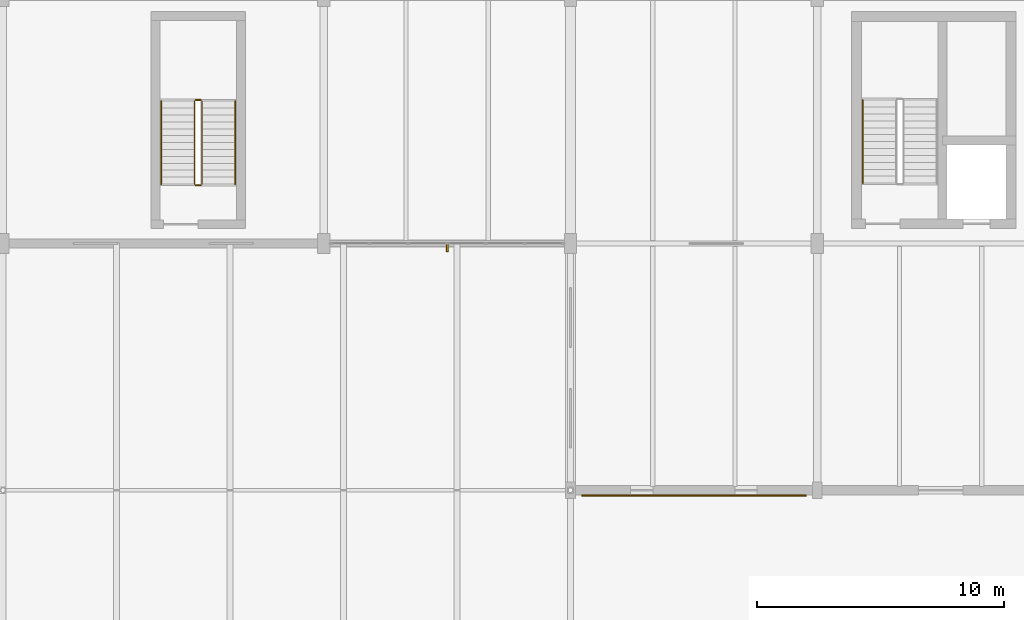
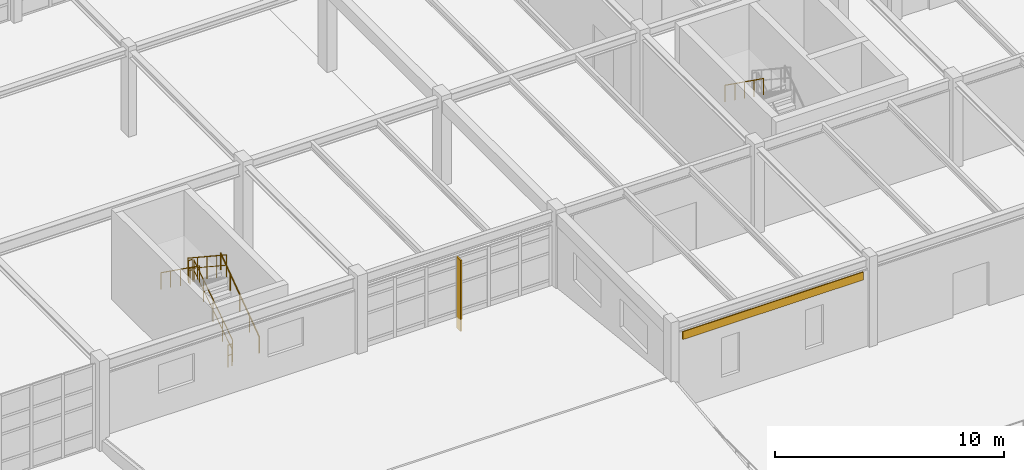
# One storey, part 135 of 139: 7 railings, 1 covering, 1 shading device.
"""IFC4 building model written with IfcOpenShell, lengths in metres."""

from ifc_helpers import new_model, si_unit, direction, frame, origin, origin_2d, place, context, subcontext, project, spatial, polyline, rectangle, circle, outline, extrude, material, layer, layer_set, type_object, element, save


model = new_model("IFC4")

# Units and contexts
model_context = context("Model", 3, precision=1e-05, world=origin(), true_north=direction((0.0, 1.0)))
body_context = subcontext(model_context, "Body", "Model", "MODEL_VIEW")
ifc_project = project(units=[si_unit("LENGTHUNIT", "METRE"), si_unit("AREAUNIT", "SQUARE_METRE"), si_unit("VOLUMEUNIT", "CUBIC_METRE"), si_unit("PLANEANGLEUNIT", "RADIAN"), si_unit("MASSUNIT", "GRAM", prefix="KILO"), si_unit("THERMODYNAMICTEMPERATUREUNIT", "KELVIN"), si_unit("POWERUNIT", "WATT")], contexts=[model_context])

# Site, building, storey
site_placement = place(None, origin())
site = spatial("IfcSite", under=ifc_project, at=site_placement, CompositionType="ELEMENT")
building_placement = place(site_placement, origin())
building = spatial("IfcBuilding", under=site, at=building_placement, Name="Korenveer Ferry Terminal", CompositionType="ELEMENT")
storey_placement = place(building_placement, frame((0.0, 0.0, 5.39990234375)))
storey = spatial("IfcBuildingStorey", under=building, at=storey_placement, Name="L01", CompositionType="ELEMENT", Elevation=5.39990234375)

# Covering
ifc_material_1 = material(Name="Carved Belgian bluestone spandrel cladding", Category="masonry")
ifc_layer = layer(ifc_material_1, 0.050048828125)
ifc_layer_set = layer_set([ifc_layer], Name="Carved Belgian bluestone spandrel cladding")
covering_type = type_object("IfcCoveringType", Name="ENV-COV-STONE", PredefinedType="CLADDING", material=ifc_layer_set)
covering_placement = place(storey_placement, frame((0.0, 0.0, 3.630126953125)))
element("IfcCovering", 1, at=covering_placement, inside=storey, type_object=covering_type, Name="Belgian bluestone spandrel band 13", PredefinedType="CLADDING", context=body_context, shape_type="SweptSolid", body=[
    extrude(outline(polyline([(146.449951171875, 9.764892578125), (155.550048828125, 9.764892578125), (155.550048828125, 9.81494140625), (146.449951171875, 9.81494140625), (146.449951171875, 9.764892578125)])), origin(), (0.0, 0.0, 1.0), 0.419921875),
])

# Shading device
ifc_material_2 = material(Name="Anodised bronze aluminium solar fin", Category="aluminium")
shading_device_type = type_object("IfcShadingDeviceType", Name="ENV-SHD-FIN", PredefinedType="JALOUSIE", material=ifc_material_2)
shading_device_placement = place(storey_placement, frame((141.0, 19.840087890625, -0.02001953125), z_axis=(0.0, 0.0, 1.0), x_axis=(0.0, 1.0, 0.0)))
element("IfcShadingDevice", 2, at=shading_device_placement, inside=storey, type_object=shading_device_type, Name="Gothic solar fin 19", PredefinedType="JALOUSIE", context=body_context, shape_type="SweptSolid", body=[
    extrude(rectangle(XDim=0.360107421875, YDim=0.080078125, at=origin_2d()), origin(), (0.0, 0.0, 1.0), 3.7900390625),
])

# Railings
ifc_material_3 = material(Name="Brushed stainless steel handrail", Category="steel")
railing_type_1 = type_object("IfcRailingType", Name="INT-RL-HND90", PredefinedType="HANDRAIL", material=ifc_material_3)
railing_1_placement = place(storey_placement, frame((157.85009765625, 25.81005859375, 2.584716796875)))
element("IfcRailing", 3, at=railing_1_placement, inside=storey, type_object=railing_type_1, Name="L01 ST03 stair handrail 2", PredefinedType="HANDRAIL", context=body_context, shape_type="SweptSolid", body=[
    extrude(circle(Radius=0.02392578125, at=origin_2d()), frame((0.0, 0.0, 0.8759765625), z_axis=(0.0, -0.813753445783, 0.581210228297), x_axis=(1.0, 0.0, 0.0)), (0.0, 0.0, 1.0), 4.129150390625),
    extrude(circle(Radius=0.02099609375, at=origin_2d()), origin(), (0.0, 0.0, 1.0), 0.851806640625),
    extrude(circle(Radius=0.02099609375, at=origin_2d()), frame((0.0, -0.840087890625, 0.60009765625)), (0.0, 0.0, 1.0), 0.851806640625),
    extrude(circle(Radius=0.02099609375, at=origin_2d()), frame((0.0, -1.68017578125, 1.199951171875)), (0.0, 0.0, 1.0), 0.851806640625),
    extrude(circle(Radius=0.02099609375, at=origin_2d()), frame((0.0, -2.52001953125, 1.7998046875)), (0.0, 0.0, 1.0), 0.851806640625),
    extrude(circle(Radius=0.02099609375, at=origin_2d()), frame((0.0, -3.360107421875, 2.39990234375)), (0.0, 0.0, 1.0), 0.851806640625),
])
railing_2_placement = place(storey_placement, frame((132.409912109375, 22.409912109375, 0.184814453125)))
element("IfcRailing", 4, at=railing_2_placement, inside=storey, type_object=railing_type_1, Name="L01 ST10 stair handrail 1", PredefinedType="HANDRAIL", context=body_context, shape_type="SweptSolid", body=[
    extrude(circle(Radius=0.02392578125, at=origin_2d()), frame((0.0, 0.0, 0.8759765625), z_axis=(0.0, 0.813753445783, 0.581210228297), x_axis=(-1.0, 0.0, 0.0)), (0.0, 0.0, 1.0), 4.129150390625),
    extrude(circle(Radius=0.02099609375, at=origin_2d()), origin(), (0.0, 0.0, 1.0), 0.851806640625),
    extrude(circle(Radius=0.02099609375, at=origin_2d()), frame((0.0, 0.840087890625, 0.60009765625)), (0.0, 0.0, 1.0), 0.851806640625),
    extrude(circle(Radius=0.02099609375, at=origin_2d()), frame((0.0, 1.68017578125, 1.199951171875)), (0.0, 0.0, 1.0), 0.851806640625),
    extrude(circle(Radius=0.02099609375, at=origin_2d()), frame((0.0, 2.52001953125, 1.7998046875)), (0.0, 0.0, 1.0), 0.851806640625),
    extrude(circle(Radius=0.02099609375, at=origin_2d()), frame((0.0, 3.360107421875, 2.39990234375)), (0.0, 0.0, 1.0), 0.851806640625),
])
railing_3_placement = place(storey_placement, frame((129.409912109375, 25.77001953125, 2.584716796875)))
element("IfcRailing", 5, at=railing_3_placement, inside=storey, type_object=railing_type_1, Name="L01 ST10 stair handrail 2", PredefinedType="HANDRAIL", context=body_context, shape_type="SweptSolid", body=[
    extrude(circle(Radius=0.02392578125, at=origin_2d()), frame((0.0, 0.0, 0.8759765625), z_axis=(0.0, -0.813753445783, 0.581210228297), x_axis=(1.0, 0.0, 0.0)), (0.0, 0.0, 1.0), 4.129150390625),
    extrude(circle(Radius=0.02099609375, at=origin_2d()), origin(), (0.0, 0.0, 1.0), 0.851806640625),
    extrude(circle(Radius=0.02099609375, at=origin_2d()), frame((0.0, -0.840087890625, 0.60009765625)), (0.0, 0.0, 1.0), 0.851806640625),
    extrude(circle(Radius=0.02099609375, at=origin_2d()), frame((0.0, -1.68017578125, 1.199951171875)), (0.0, 0.0, 1.0), 0.851806640625),
    extrude(circle(Radius=0.02099609375, at=origin_2d()), frame((0.0, -2.52001953125, 1.7998046875)), (0.0, 0.0, 1.0), 0.851806640625),
    extrude(circle(Radius=0.02099609375, at=origin_2d()), frame((0.0, -3.360107421875, 2.39990234375)), (0.0, 0.0, 1.0), 0.851806640625),
])
ifc_material_4 = material(Name="Painted steel stair guard", Category="steel")
railing_type_2 = type_object("IfcRailingType", Name="INT-RL-STGRD", PredefinedType="GUARDRAIL", material=ifc_material_4)
railing_4_placement = place(storey_placement, frame((131.06005859375, 22.409912109375, 0.184814453125)))
element("IfcRailing", 6, at=railing_4_placement, inside=storey, type_object=railing_type_2, Name="L01 ST10 stair guard 1", PredefinedType="GUARDRAIL", context=body_context, shape_type="SweptSolid", body=[
    extrude(circle(Radius=0.02392578125, at=origin_2d()), frame((0.0, 0.0, 1.17578125), z_axis=(0.0, 0.834876476806, 0.550437342915), x_axis=(-1.0, 0.0, 0.0)), (0.0, 0.0, 1.0), 4.024658203125),
    extrude(circle(Radius=0.01806640625, at=origin_2d()), frame((0.0, 0.0, 0.6240234375), z_axis=(0.0, 0.834876476806, 0.550437342915), x_axis=(-1.0, 0.0, 0.0)), (0.0, 0.0, 1.0), 4.024658203125),
    extrude(circle(Radius=0.02099609375, at=origin_2d()), origin(), (0.0, 0.0, 1.0), 1.15185546875),
    extrude(circle(Radius=0.02099609375, at=origin_2d()), frame((0.0, 0.840087890625, 0.5537109375)), (0.0, 0.0, 1.0), 1.15185546875),
    extrude(circle(Radius=0.02099609375, at=origin_2d()), frame((0.0, 1.68017578125, 1.107666015625)), (0.0, 0.0, 1.0), 1.15185546875),
    extrude(circle(Radius=0.02099609375, at=origin_2d()), frame((0.0, 2.52001953125, 1.66162109375)), (0.0, 0.0, 1.0), 1.15185546875),
    extrude(circle(Radius=0.02099609375, at=origin_2d()), frame((0.0, 3.360107421875, 2.21533203125)), (0.0, 0.0, 1.0), 1.15185546875),
])
railing_5_placement = place(storey_placement, frame((131.010009765625, 25.820068359375, 2.400146484375)))
element("IfcRailing", 7, at=railing_5_placement, inside=storey, type_object=railing_type_2, Name="L01 ST10 stair guard 2", PredefinedType="GUARDRAIL", context=body_context, shape_type="SweptSolid", body=[
    extrude(circle(Radius=0.02392578125, at=origin_2d()), frame((0.0, 0.0, 1.17578125), z_axis=(-1.0, 0.0, 0.0), x_axis=(0.0, -1.0, 0.0)), (0.0, 0.0, 1.0), 0.199951171875),
    extrude(circle(Radius=0.01806640625, at=origin_2d()), frame((0.0, 0.0, 0.6240234375), z_axis=(-1.0, 0.0, 0.0), x_axis=(0.0, -1.0, 0.0)), (0.0, 0.0, 1.0), 0.199951171875),
    extrude(circle(Radius=0.02099609375, at=origin_2d()), origin(), (0.0, 0.0, 1.0), 1.15185546875),
    extrude(circle(Radius=0.02099609375, at=origin_2d()), frame((-0.199951171875, 0.0, 0.0)), (0.0, 0.0, 1.0), 1.15185546875),
])
railing_6_placement = place(storey_placement, frame((130.760009765625, 25.77001953125, 2.584716796875)))
element("IfcRailing", 8, at=railing_6_placement, inside=storey, type_object=railing_type_2, Name="L01 ST10 stair guard 3", PredefinedType="GUARDRAIL", context=body_context, shape_type="SweptSolid", body=[
    extrude(circle(Radius=0.02392578125, at=origin_2d()), frame((0.0, 0.0, 1.17578125), z_axis=(0.0, -0.834876476806, 0.550437342915), x_axis=(1.0, 0.0, 0.0)), (0.0, 0.0, 1.0), 4.024658203125),
    extrude(circle(Radius=0.01806640625, at=origin_2d()), frame((0.0, 0.0, 0.6240234375), z_axis=(0.0, -0.834876476806, 0.550437342915), x_axis=(1.0, 0.0, 0.0)), (0.0, 0.0, 1.0), 4.024658203125),
    extrude(circle(Radius=0.02099609375, at=origin_2d()), origin(), (0.0, 0.0, 1.0), 1.15185546875),
    extrude(circle(Radius=0.02099609375, at=origin_2d()), frame((0.0, -0.840087890625, 0.5537109375)), (0.0, 0.0, 1.0), 1.15185546875),
    extrude(circle(Radius=0.02099609375, at=origin_2d()), frame((0.0, -1.68017578125, 1.107666015625)), (0.0, 0.0, 1.0), 1.15185546875),
    extrude(circle(Radius=0.02099609375, at=origin_2d()), frame((0.0, -2.52001953125, 1.66162109375)), (0.0, 0.0, 1.0), 1.15185546875),
    extrude(circle(Radius=0.02099609375, at=origin_2d()), frame((0.0, -3.360107421875, 2.21533203125)), (0.0, 0.0, 1.0), 1.15185546875),
])
railing_7_placement = place(storey_placement, frame((131.010009765625, 22.360107421875, 0.0)))
element("IfcRailing", 9, at=railing_7_placement, inside=storey, type_object=railing_type_2, Name="L01 ST10 stair guard 4", PredefinedType="GUARDRAIL", context=body_context, shape_type="SweptSolid", body=[
    extrude(circle(Radius=0.02392578125, at=origin_2d()), frame((0.0, 0.0, 1.17578125), z_axis=(-1.0, 0.0, 0.0), x_axis=(0.0, -1.0, 0.0)), (0.0, 0.0, 1.0), 0.199951171875),
    extrude(circle(Radius=0.01806640625, at=origin_2d()), frame((0.0, 0.0, 0.6240234375), z_axis=(-1.0, 0.0, 0.0), x_axis=(0.0, -1.0, 0.0)), (0.0, 0.0, 1.0), 0.199951171875),
    extrude(circle(Radius=0.02099609375, at=origin_2d()), origin(), (0.0, 0.0, 1.0), 1.15185546875),
    extrude(circle(Radius=0.02099609375, at=origin_2d()), frame((-0.199951171875, 0.0, 0.0)), (0.0, 0.0, 1.0), 1.15185546875),
])

save(model, "model.ifc")
